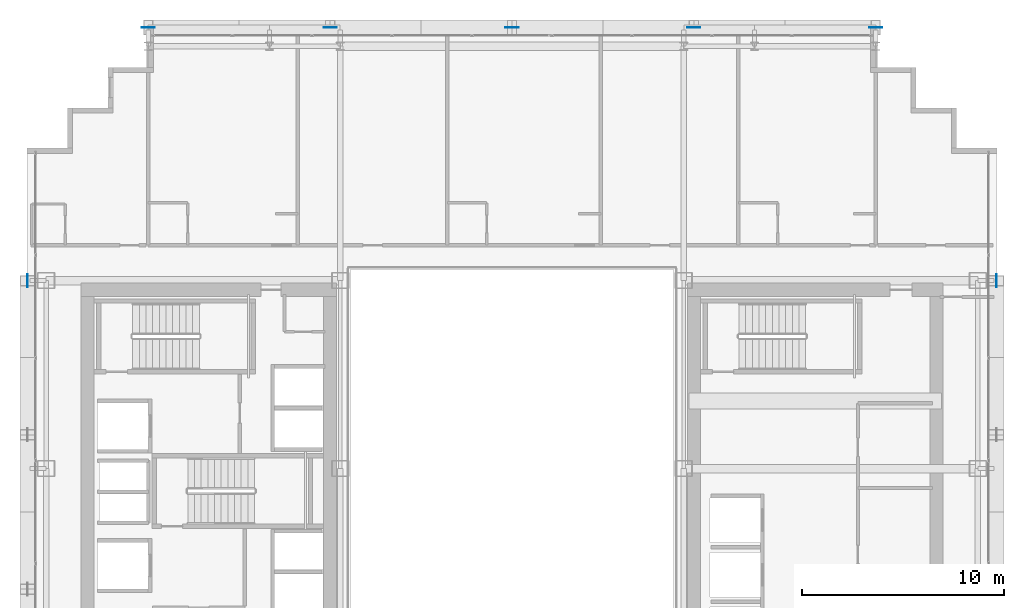
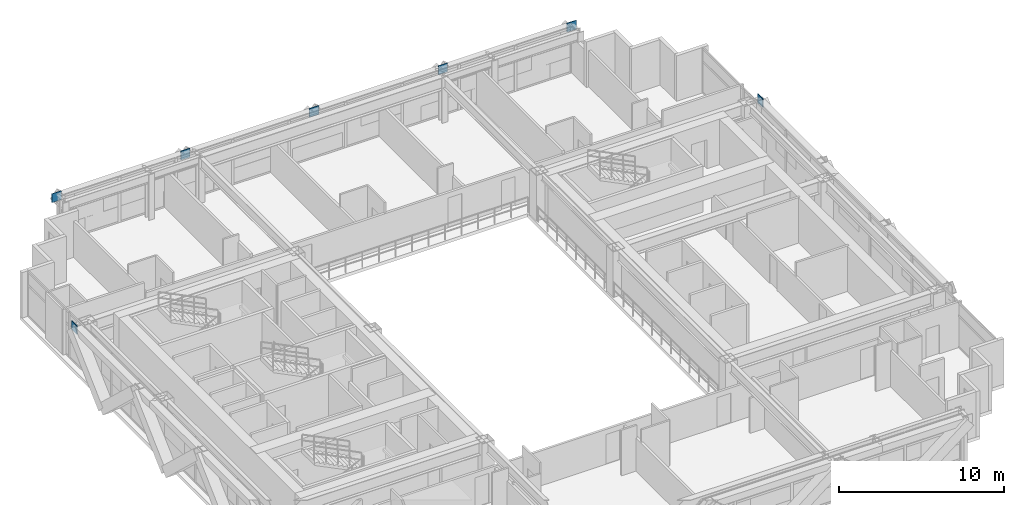
# One storey, part 26 of 35: 7 plates.
"""IFC4 building model written with IfcOpenShell, lengths in metres."""

from ifc_helpers import new_model, si_unit, direction, frame, origin, origin_2d, place, context, subcontext, project, spatial, rectangle, extrude, source, transform, mapped, material, layer, layer_set, type_object, element, save


model = new_model("IFC4")

# Units and contexts
model_context = context("Model", 3, precision=1e-05, world=origin(), true_north=direction((0.0, 1.0)))
body_context = subcontext(model_context, "Body", "Model", "MODEL_VIEW")
ifc_project = project(units=[si_unit("LENGTHUNIT", "METRE"), si_unit("AREAUNIT", "SQUARE_METRE"), si_unit("VOLUMEUNIT", "CUBIC_METRE"), si_unit("PLANEANGLEUNIT", "RADIAN"), si_unit("MASSUNIT", "GRAM", prefix="KILO")], contexts=[model_context])

# Site, building, storey
site_placement = place(None, origin())
site = spatial("IfcSite", under=ifc_project, at=site_placement, CompositionType="ELEMENT")
building_placement = place(site_placement, origin())
building = spatial("IfcBuilding", under=site, at=building_placement, Name="Ocotamira Hotel", CompositionType="ELEMENT")
storey_placement = place(building_placement, frame((0.0, 0.0, 115.199951171875)))
storey = spatial("IfcBuildingStorey", under=building, at=storey_placement, Name="L28", CompositionType="ELEMENT", Elevation=115.199951171875)

# Plates
ifc_material = material(Name="Pale-metal coated steel ASTM A572 Grade 50", Category="steel")
ifc_layer = layer(ifc_material, 0.0400390625)
ifc_layer_set = layer_set([ifc_layer], Name="Pale-metal coated steel ASTM A572 Grade 50")
plate_type = type_object("IfcPlateType", Name="PLT-GUSSET-40", PredefinedType="SHEET", material=ifc_layer_set)
shared_shape_1 = source(origin(), body_context, "Body", "SweptSolid", [
    extrude(rectangle(XDim=0.64990234375, YDim=0.0400390625, at=origin_2d()), origin(), (0.0, 0.0, 1.0), 0.64990234375),
])
for number, where, z_axis, x_axis, name in (
    (1, (14.0, 49.969970703125, 2.78515625), (0.0, 0.0, 1.0), (-1.0, 0.0, 0.0), "L28 Exoskeleton Diagrid N0.1 End Gusset B"),
    (2, (23.0, 49.969970703125, 2.78515625), (0.0, 0.0, 1.0), (1.0, 0.0, 0.0), "L28 Exoskeleton Diagrid N0.2 End Gusset B"),
    (3, (32.0, 49.969970703125, 2.78515625), (0.0, 0.0, 1.0), (1.0, 0.0, 0.0), "L28 Exoskeleton Diagrid N1.2 End Gusset B"),
    (4, (41.0, 49.969970703125, 2.78515625), (0.0, 0.0, 1.0), (1.0, 0.0, 0.0), "L28 Exoskeleton Diagrid N2.2 End Gusset B"),
    (5, (50.0, 49.969970703125, 2.78515625), (0.0, 0.0, 1.0), (1.0, 0.0, 0.0), "L28 Exoskeleton Diagrid N3.2 End Gusset B"),
):
    element("IfcPlate", number, at=place(storey_placement, frame(where, z_axis=z_axis, x_axis=x_axis)), inside=storey, type_object=plate_type, Name=name, PredefinedType="SHEET", context=body_context, shape_type="MappedRepresentation", body=[
        mapped(shared_shape_1, transform((0.0, 0.0, 0.0), scale=1.0)),
    ])
shared_shape_2 = source(origin(), body_context, "Body", "SweptSolid", [
    extrude(rectangle(XDim=0.0400390625, YDim=0.64990234375, at=origin_2d()), origin(), (0.0, 0.0, 1.0), 0.64990234375),
])
for number, where, z_axis, x_axis, name in (
    (6, (8.030029296875, 37.449951171875, 2.78515625), (0.0, 0.0, 1.0), (1.0, 0.0, 0.0), "L28 Exoskeleton Diagrid W2.2 End Gusset B"),
    (7, (55.969970703125, 37.449951171875, 2.78515625), (0.0, 0.0, 1.0), (1.0, 0.0, 0.0), "L28 Exoskeleton Diagrid E2.2 End Gusset B"),
):
    element("IfcPlate", number, at=place(storey_placement, frame(where, z_axis=z_axis, x_axis=x_axis)), inside=storey, type_object=plate_type, Name=name, PredefinedType="SHEET", context=body_context, shape_type="MappedRepresentation", body=[
        mapped(shared_shape_2, transform((0.0, 0.0, 0.0), scale=1.0)),
    ])

save(model, "model.ifc")
